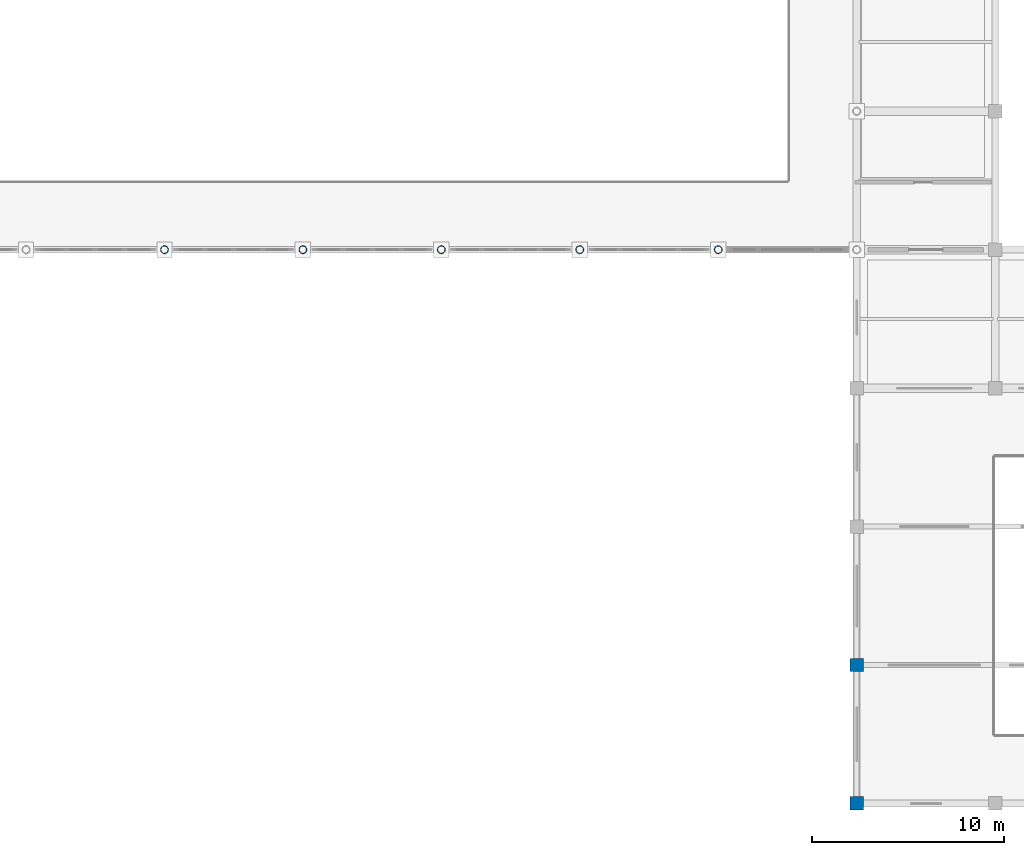
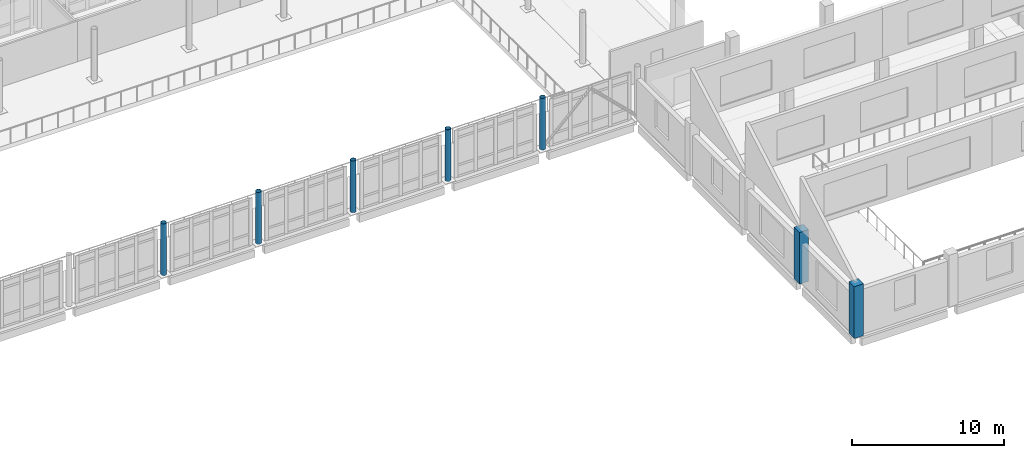
# One storey, part 5 of 62: 7 columns.
"""IFC4 building model written with IfcOpenShell, lengths in metres."""

from ifc_helpers import new_model, si_unit, direction, frame, origin, origin_2d, place, context, subcontext, project, spatial, rectangle, hollow_circle, extrude, material, material_profile, profile_set, type_object, element, save


model = new_model("IFC4")

# Units and contexts
model_context = context("Model", 3, precision=1e-05, world=origin(), true_north=direction((0.0, 1.0)))
body_context = subcontext(model_context, "Body", "Model", "MODEL_VIEW")
ifc_project = project(units=[si_unit("LENGTHUNIT", "METRE"), si_unit("AREAUNIT", "SQUARE_METRE"), si_unit("VOLUMEUNIT", "CUBIC_METRE"), si_unit("PLANEANGLEUNIT", "RADIAN"), si_unit("MASSUNIT", "GRAM", prefix="KILO")], contexts=[model_context])

# Site, building, storey
site_placement = place(None, origin())
site = spatial("IfcSite", under=ifc_project, at=site_placement, CompositionType="ELEMENT")
building_placement = place(site_placement, origin())
building = spatial("IfcBuilding", under=site, at=building_placement, Name="Valkovuoma Quantum and Materials Research Institute", CompositionType="ELEMENT")
storey_placement = place(building_placement, frame((0.0, 0.0, 8.9599609375)))
storey = spatial("IfcBuildingStorey", under=building, at=storey_placement, Name="L02", CompositionType="ELEMENT", Elevation=8.9599609375)

# Columns
ifc_material_1 = material(Name="Steel S355J2H", Category="steel")
ifc_material_profile_1 = material_profile(ifc_material_1, hollow_circle(Radius=0.203125, WallThickness=0.01611328125, at=origin_2d()), Name="Steel S355J2H")
ifc_profile_set_1 = profile_set([ifc_material_profile_1], Name="Steel S355J2H")
column_type_1 = type_object("IfcColumnType", Name="Col-C-CHS406", PredefinedType="COLUMN", material=ifc_profile_set_1)
for number, where, z_axis, x_axis, name in (
    (1, (64.800048828125, 36.0, 0.0), (0.0, 0.0, 1.0), (1.0, 0.0, 0.0), "L02 column 10F"),
    (2, (72.0, 36.0, 0.0), (0.0, 0.0, 1.0), (1.0, 0.0, 0.0), "L02 column 11F"),
    (3, (79.199951171875, 36.0, 0.0), (0.0, 0.0, 1.0), (1.0, 0.0, 0.0), "L02 column 12F"),
    (4, (86.39990234375, 36.0, 0.0), (0.0, 0.0, 1.0), (1.0, 0.0, 0.0), "L02 column 13F"),
    (5, (93.60009765625, 36.0, 0.0), (0.0, 0.0, 1.0), (1.0, 0.0, 0.0), "L02 column 14F"),
):
    element("IfcColumn", number, at=place(storey_placement, frame(where, z_axis=z_axis, x_axis=x_axis)), inside=storey, type_object=column_type_1, Name=name, PredefinedType="COLUMN", context=body_context, shape_type="SweptSolid", body=[
        extrude(hollow_circle(Radius=0.203125, WallThickness=0.01611328125, at=origin_2d()), origin(), (0.0, 0.0, 1.0), 4.16015625),
    ])
ifc_material_2 = material(Name="Concrete C40/50", Category="concrete")
ifc_material_profile_2 = material_profile(ifc_material_2, rectangle(XDim=0.699951171875, YDim=0.699951171875, at=origin_2d()), Name="Concrete C40/50")
ifc_profile_set_2 = profile_set([ifc_material_profile_2], Name="Concrete C40/50")
column_type_2 = type_object("IfcColumnType", Name="Col-C-RC700", PredefinedType="COLUMN", material=ifc_profile_set_2)
for number, where, z_axis, x_axis, name in (
    (6, (100.800048828125, 7.199951171875, 0.0), (0.0, 0.0, 1.0), (1.0, 0.0, 0.0), "L02 column 15B"),
    (7, (100.800048828125, 14.39990234375, 0.0), (0.0, 0.0, 1.0), (1.0, 0.0, 0.0), "L02 column 15C"),
):
    element("IfcColumn", number, at=place(storey_placement, frame(where, z_axis=z_axis, x_axis=x_axis)), inside=storey, type_object=column_type_2, Name=name, PredefinedType="COLUMN", context=body_context, shape_type="SweptSolid", body=[
        extrude(rectangle(XDim=0.699951171875, YDim=0.699951171875, at=origin_2d()), origin(), (0.0, 0.0, 1.0), 4.16015625),
    ])

save(model, "model.ifc")
